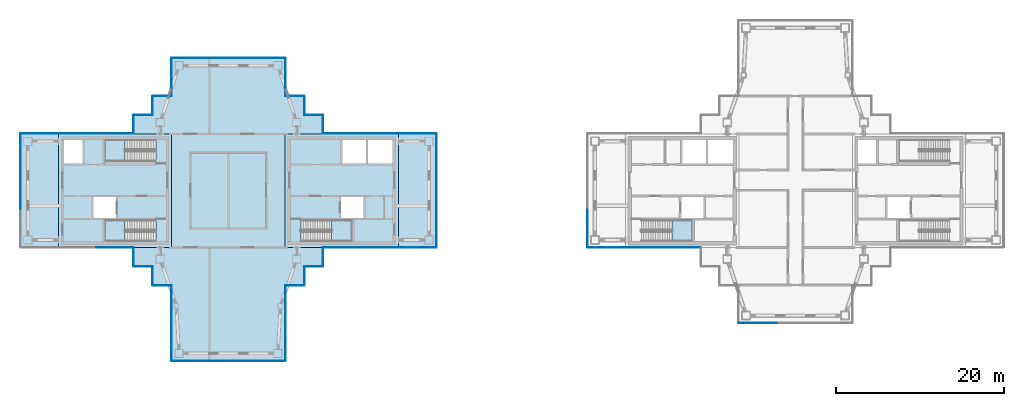
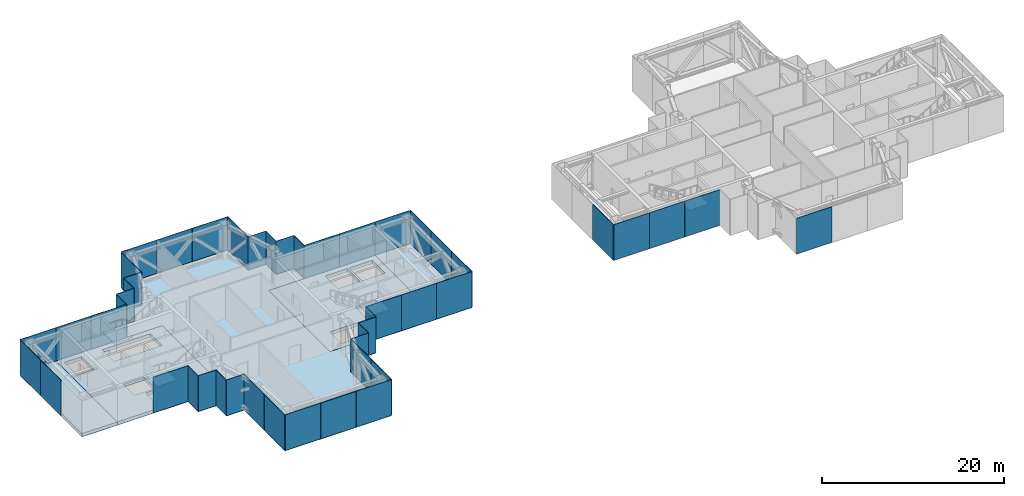
# One storey, part 5 of 18: 48 plates, 9 slabs, 27 elements without a shape of their own.
"""IFC4 building model written with IfcOpenShell, lengths in metres."""

from ifc_helpers import new_model, si_unit, direction, frame, origin, origin_2d, place, context, subcontext, project, spatial, polyline, rectangle, outline, extrude, material, layer, layer_set, type_object, element, aggregate, save


model = new_model("IFC4")

# Units and contexts
model_context = context("Model", 3, precision=1e-05, world=origin(), true_north=direction((0.0, 1.0)))
body_context = subcontext(model_context, "Body", "Model", "MODEL_VIEW")
ifc_project = project(units=[si_unit("LENGTHUNIT", "METRE"), si_unit("AREAUNIT", "SQUARE_METRE"), si_unit("VOLUMEUNIT", "CUBIC_METRE"), si_unit("PLANEANGLEUNIT", "RADIAN"), si_unit("MASSUNIT", "GRAM", prefix="KILO")], contexts=[model_context])

# Site, building, storey
site_placement = place(None, origin())
site = spatial("IfcSite", under=ifc_project, at=site_placement, CompositionType="ELEMENT")
building_placement = place(site_placement, origin())
building = spatial("IfcBuilding", under=site, at=building_placement, Name="Shamsa Quay Exchange Towers", CompositionType="ELEMENT")
storey_placement = place(building_placement, frame((0.0, 0.0, 225.60009765625)))
storey = spatial("IfcBuildingStorey", under=building, at=storey_placement, Name="L54", CompositionType="ELEMENT", Elevation=225.60009765625)

# Slabs
ifc_material_1 = material(Name="Concrete C50/60", Category="concrete")
ifc_layer_1 = layer(ifc_material_1, 0.449951171875)
ifc_layer_set_1 = layer_set([ifc_layer_1], Name="CORE FLOOR 450 C50/60")
slab_type_1 = type_object("IfcSlabType", Name="CORE FLOOR 450 C50/60", PredefinedType="FLOOR", material=ifc_layer_set_1)
slab_1_placement = place(storey_placement, frame((0.0, 0.0, -0.4501953125)))
element("IfcSlab", 1, at=slab_1_placement, inside=storey, type_object=slab_type_1, Name="Core floor T1A", PredefinedType="FLOOR", context=body_context, shape_type="SweptSolid", body=[
    extrude(outline(polyline([(-27.0, -6.75), (-13.5, -6.75), (-13.5, 6.75), (-27.0, 6.75), (-27.0, -6.75)]), holes=[polyline([(-25.099365234375, -6.050048828125), (-25.099365234375, -3.5), (-19.0, -3.5), (-19.0, -6.050048828125), (-25.099365234375, -6.050048828125)]), polyline([(-20.199951171875, 3.25), (-20.199951171875, 6.050048828125), (-17.39990234375, 6.050048828125), (-17.39990234375, 3.25), (-20.199951171875, 3.25)]), polyline([(-17.14990234375, 3.25), (-17.14990234375, 6.050048828125), (-14.199951171875, 6.050048828125), (-14.199951171875, 3.25), (-17.14990234375, 3.25)]), polyline([(-20.35009765625, -3.25), (-20.35009765625, -0.75), (-17.699951171875, -0.75), (-17.699951171875, -3.25), (-20.35009765625, -3.25)])]), origin(), (0.0, 0.0, 1.0), 0.4501953125),
])
slab_2_placement = place(storey_placement, frame((0.0, 0.0, -0.4501953125)))
element("IfcSlab", 2, at=slab_2_placement, inside=storey, type_object=slab_type_1, Name="Core floor T1B", PredefinedType="FLOOR", context=body_context, shape_type="SweptSolid", body=[
    extrude(outline(polyline([(-40.5, -6.75), (-40.5, 6.75), (-54.0, 6.75), (-54.0, -6.75), (-40.5, -6.75)]), holes=[polyline([(-42.400634765625, -3.5), (-42.400634765625, -6.050048828125), (-48.5, -6.050048828125), (-48.5, -3.5), (-42.400634765625, -3.5)]), polyline([(-42.400634765625, 6.050048828125), (-42.400634765625, 3.5), (-48.5, 3.5), (-48.5, 6.050048828125), (-42.400634765625, 6.050048828125)]), polyline([(-51.14990234375, 3.25), (-53.300048828125, 3.25), (-53.300048828125, 6.050048828125), (-51.14990234375, 6.050048828125), (-51.14990234375, 3.25)]), polyline([(-47.14990234375, -3.25), (-49.800048828125, -3.25), (-49.800048828125, -0.75), (-47.14990234375, -0.75), (-47.14990234375, -3.25)])]), origin(), (0.0, 0.0, 1.0), 0.4501953125),
])

# Stair, slab
ifc_material_2 = material(Name="Concrete C40/50", Category="concrete")
stair_type = type_object("IfcStairType", Name="EXIT STAIR 28 RISERS 171 MM", PredefinedType="HALF_TURN_STAIR", material=ifc_material_2)
stair_1_placement = place(storey_placement, origin())
stair_1 = element("IfcStair", 3, at=stair_1_placement, inside=storey, type_object=stair_type, Name="L54 Exit stair ST1", PredefinedType="HALF_TURN_STAIR")
ifc_layer_2 = layer(ifc_material_2, 0.199951171875)
ifc_layer_set_2 = layer_set([ifc_layer_2], Name="CORE STAIR LANDING")
slab_type_2 = type_object("IfcSlabType", Name="CORE STAIR LANDING", PredefinedType="LANDING", material=ifc_layer_set_2)
slab_3_placement = place(storey_placement, frame((0.0, 0.0, 2.199951171875)))
slab_3 = element("IfcSlab", 4, at=slab_3_placement, type_object=slab_type_2, Name="ST1 landing 1", PredefinedType="LANDING", context=body_context, shape_type="SweptSolid", body=[
    extrude(outline(polyline([(-21.4599609375, -6.050048828125), (-19.0, -6.050048828125), (-19.0, -3.5), (-21.4599609375, -3.5), (-21.4599609375, -6.050048828125)])), origin(), (0.0, 0.0, 1.0), 0.199951171875),
])
aggregate(stair_1, [slab_3])

stair_2_placement = place(storey_placement, origin())
stair_2 = element("IfcStair", 5, at=stair_2_placement, inside=storey, type_object=stair_type, Name="L54 Exit stair ST2", PredefinedType="HALF_TURN_STAIR")
slab_4_placement = place(storey_placement, frame((0.0, 0.0, 2.199951171875)))
slab_4 = element("IfcSlab", 6, at=slab_4_placement, type_object=slab_type_2, Name="ST2 landing 1", PredefinedType="LANDING", context=body_context, shape_type="SweptSolid", body=[
    extrude(outline(polyline([(-46.0400390625, -3.5), (-48.5, -3.5), (-48.5, -6.050048828125), (-46.0400390625, -6.050048828125), (-46.0400390625, -3.5)])), origin(), (0.0, 0.0, 1.0), 0.199951171875),
])
aggregate(stair_2, [slab_4])

stair_3_placement = place(storey_placement, origin())
stair_3 = element("IfcStair", 7, at=stair_3_placement, inside=storey, type_object=stair_type, Name="L54 Exit stair ST3", PredefinedType="HALF_TURN_STAIR")
slab_5_placement = place(storey_placement, frame((0.0, 0.0, 2.199951171875)))
slab_5 = element("IfcSlab", 8, at=slab_5_placement, type_object=slab_type_2, Name="ST3 landing 1", PredefinedType="LANDING", context=body_context, shape_type="SweptSolid", body=[
    extrude(outline(polyline([(-46.0400390625, 6.050048828125), (-48.5, 6.050048828125), (-48.5, 3.5), (-46.0400390625, 3.5), (-46.0400390625, 6.050048828125)])), origin(), (0.0, 0.0, 1.0), 0.199951171875),
])
aggregate(stair_3, [slab_5])

stair_4_placement = place(storey_placement, origin())
stair_4 = element("IfcStair", 9, at=stair_4_placement, inside=storey, type_object=stair_type, Name="L54 Exit stair ST4", PredefinedType="HALF_TURN_STAIR")
slab_6_placement = place(storey_placement, frame((0.0, 0.0, 2.199951171875)))
slab_6 = element("IfcSlab", 10, at=slab_6_placement, type_object=slab_type_2, Name="ST4 landing 1", PredefinedType="LANDING", context=body_context, shape_type="SweptSolid", body=[
    extrude(outline(polyline([(19.0400390625, -6.050048828125), (21.5, -6.050048828125), (21.5, -3.5), (19.0400390625, -3.5), (19.0400390625, -6.050048828125)])), origin(), (0.0, 0.0, 1.0), 0.199951171875),
])
aggregate(stair_4, [slab_6])

# Curtain wall, plates
ifc_material_3 = material(Name="Aluminium EN AW-6063 T6, black anodised", Category="aluminium")
ifc_layer_3 = layer(ifc_material_3, 0.320068359375)
ifc_layer_set_3 = layer_set([ifc_layer_3], Name="CW-7 BELT-LEVEL LOUVRE PANEL WALL")
curtain_wall_type = type_object("IfcCurtainWallType", Name="CW-7 BELT-LEVEL LOUVRE PANEL WALL", PredefinedType="NOTDEFINED", material=ifc_layer_set_3)
curtain_wall_1_placement = place(storey_placement, origin())
curtain_wall_1 = element("IfcCurtainWall", 11, at=curtain_wall_1_placement, inside=storey, type_object=curtain_wall_type, Name="CW7 T1-FLK-V-W L54", PredefinedType="NOTDEFINED")
ifc_material_4 = material(Name="Aluminium louvre panel, black anodised, with insulated fire-rated backing", Category="aluminium")
ifc_layer_4 = layer(ifc_material_4, 0.06005859375)
ifc_layer_set_4 = layer_set([ifc_layer_4], Name="CW-7 LOUVRE PANEL 60")
plate_type = type_object("IfcPlateType", Name="CW-7 LOUVRE PANEL 60", PredefinedType="CURTAIN_PANEL", material=ifc_layer_set_4)
plate_1_placement = place(storey_placement, frame((-40.530029296875, -13.5439453125, -0.35009765625), z_axis=(0.0, 0.0, 1.0), x_axis=(0.0, -1.0, 0.0)))
plate_1 = element("IfcPlate", 12, at=plate_1_placement, type_object=plate_type, Name="CW7 glass panel", PredefinedType="CURTAIN_PANEL", context=body_context, shape_type="SweptSolid", body=[
    extrude(rectangle(XDim=4.464111328125, YDim=0.06005859375, at=origin_2d()), origin(), (0.0, 0.0, 1.0), 4.800048828125),
])
plate_2_placement = place(storey_placement, frame((-40.530029296875, -18.01806640625, -0.35009765625), z_axis=(0.0, 0.0, 1.0), x_axis=(0.0, -1.0, 0.0)))
plate_2 = element("IfcPlate", 13, at=plate_2_placement, type_object=plate_type, Name="CW7 glass panel", PredefinedType="CURTAIN_PANEL", context=body_context, shape_type="SweptSolid", body=[
    extrude(rectangle(XDim=4.464111328125, YDim=0.06005859375, at=origin_2d()), origin(), (0.0, 0.0, 1.0), 4.800048828125),
])
aggregate(curtain_wall_1, [plate_1, plate_2])

curtain_wall_2_placement = place(storey_placement, origin())
curtain_wall_2 = element("IfcCurtainWall", 14, at=curtain_wall_2_placement, inside=storey, type_object=curtain_wall_type, Name="CW7 T1-END-V- L54", PredefinedType="NOTDEFINED")
plate_3_placement = place(storey_placement, frame((-38.25244140625, -20.280029296875, -0.35009765625)))
plate_3 = element("IfcPlate", 15, at=plate_3_placement, type_object=plate_type, Name="CW7 glass panel", PredefinedType="CURTAIN_PANEL", context=body_context, shape_type="SweptSolid", body=[
    extrude(rectangle(XDim=4.4951171875, YDim=0.06005859375, at=origin_2d()), origin(), (0.0, 0.0, 1.0), 4.800048828125),
])
plate_4_placement = place(storey_placement, frame((-33.75, -20.280029296875, -0.35009765625)))
plate_4 = element("IfcPlate", 16, at=plate_4_placement, type_object=plate_type, Name="CW7 glass panel", PredefinedType="CURTAIN_PANEL", context=body_context, shape_type="SweptSolid", body=[
    extrude(rectangle(XDim=4.489990234375, YDim=0.06005859375, at=origin_2d()), origin(), (0.0, 0.0, 1.0), 4.800048828125),
])
plate_5_placement = place(storey_placement, frame((-29.24755859375, -20.280029296875, -0.35009765625)))
plate_5 = element("IfcPlate", 17, at=plate_5_placement, type_object=plate_type, Name="CW7 glass panel", PredefinedType="CURTAIN_PANEL", context=body_context, shape_type="SweptSolid", body=[
    extrude(rectangle(XDim=4.4951171875, YDim=0.06005859375, at=origin_2d()), origin(), (0.0, 0.0, 1.0), 4.800048828125),
])
aggregate(curtain_wall_2, [plate_3, plate_4, plate_5])

curtain_wall_3_placement = place(storey_placement, origin())
curtain_wall_3 = element("IfcCurtainWall", 18, at=curtain_wall_3_placement, inside=storey, type_object=curtain_wall_type, Name="CW7 T1-FLK-V-E L54", PredefinedType="NOTDEFINED")
plate_6_placement = place(storey_placement, frame((-26.969970703125, -18.00244140625, -0.35009765625), z_axis=(0.0, 0.0, 1.0), x_axis=(0.0, 1.0, 0.0)))
plate_6 = element("IfcPlate", 19, at=plate_6_placement, type_object=plate_type, Name="CW7 glass panel", PredefinedType="CURTAIN_PANEL", context=body_context, shape_type="SweptSolid", body=[
    extrude(rectangle(XDim=4.4951171875, YDim=0.06005859375, at=origin_2d()), origin(), (0.0, 0.0, 1.0), 4.800048828125),
])
plate_7_placement = place(storey_placement, frame((-26.969970703125, -13.49755859375, -0.35009765625), z_axis=(0.0, 0.0, 1.0), x_axis=(0.0, 1.0, 0.0)))
plate_7 = element("IfcPlate", 20, at=plate_7_placement, type_object=plate_type, Name="CW7 glass panel", PredefinedType="CURTAIN_PANEL", context=body_context, shape_type="SweptSolid", body=[
    extrude(rectangle(XDim=4.4951171875, YDim=0.06005859375, at=origin_2d()), origin(), (0.0, 0.0, 1.0), 4.800048828125),
])
aggregate(curtain_wall_3, [plate_6, plate_7])

curtain_wall_4_placement = place(storey_placement, origin())
curtain_wall_4 = element("IfcCurtainWall", 21, at=curtain_wall_4_placement, inside=storey, type_object=curtain_wall_type, Name="CW7 T1-FLK-U+S L54", PredefinedType="NOTDEFINED")
plate_8_placement = place(storey_placement, frame((-20.2060546875, -6.780029296875, -0.35009765625)))
plate_8 = element("IfcPlate", 22, at=plate_8_placement, type_object=plate_type, Name="CW7 glass panel", PredefinedType="CURTAIN_PANEL", context=body_context, shape_type="SweptSolid", body=[
    extrude(rectangle(XDim=4.464111328125, YDim=0.06005859375, at=origin_2d()), origin(), (0.0, 0.0, 1.0), 4.800048828125),
])
plate_9_placement = place(storey_placement, frame((-15.73193359375, -6.780029296875, -0.35009765625)))
plate_9 = element("IfcPlate", 23, at=plate_9_placement, type_object=plate_type, Name="CW7 glass panel", PredefinedType="CURTAIN_PANEL", context=body_context, shape_type="SweptSolid", body=[
    extrude(rectangle(XDim=4.464111328125, YDim=0.06005859375, at=origin_2d()), origin(), (0.0, 0.0, 1.0), 4.800048828125),
])
aggregate(curtain_wall_4, [plate_8, plate_9])

# Curtain wall, plate
curtain_wall_5_placement = place(storey_placement, origin())
curtain_wall_5 = element("IfcCurtainWall", 24, at=curtain_wall_5_placement, inside=storey, type_object=curtain_wall_type, Name="CW7 T1-FLK-U+S L54", PredefinedType="NOTDEFINED")
plate_10_placement = place(storey_placement, frame((-11.25, -6.780029296875, -0.35009765625)))
plate_10 = element("IfcPlate", 25, at=plate_10_placement, type_object=plate_type, Name="CW7 glass panel", PredefinedType="CURTAIN_PANEL", context=body_context, shape_type="SweptSolid", body=[
    extrude(rectangle(XDim=4.5, YDim=0.06005859375, at=origin_2d()), origin(), (0.0, 0.0, 1.0), 4.800048828125),
])
aggregate(curtain_wall_5, [plate_10])

# Curtain wall, plates
curtain_wall_6_placement = place(storey_placement, origin())
curtain_wall_6 = element("IfcCurtainWall", 26, at=curtain_wall_6_placement, inside=storey, type_object=curtain_wall_type, Name="CW7 T1-END-U+ L54", PredefinedType="NOTDEFINED")
plate_11_placement = place(storey_placement, frame((-8.969970703125, -4.50244140625, -0.35009765625), z_axis=(0.0, 0.0, 1.0), x_axis=(0.0, 1.0, 0.0)))
plate_11 = element("IfcPlate", 27, at=plate_11_placement, type_object=plate_type, Name="CW7 glass panel", PredefinedType="CURTAIN_PANEL", context=body_context, shape_type="SweptSolid", body=[
    extrude(rectangle(XDim=4.4951171875, YDim=0.06005859375, at=origin_2d()), origin(), (0.0, 0.0, 1.0), 4.800048828125),
])
plate_12_placement = place(storey_placement, frame((-8.969970703125, 0.0, -0.35009765625), z_axis=(0.0, 0.0, 1.0), x_axis=(0.0, 1.0, 0.0)))
plate_12 = element("IfcPlate", 28, at=plate_12_placement, type_object=plate_type, Name="CW7 glass panel", PredefinedType="CURTAIN_PANEL", context=body_context, shape_type="SweptSolid", body=[
    extrude(rectangle(XDim=4.489990234375, YDim=0.06005859375, at=origin_2d()), origin(), (0.0, 0.0, 1.0), 4.800048828125),
])
plate_13_placement = place(storey_placement, frame((-8.969970703125, 4.50244140625, -0.35009765625), z_axis=(0.0, 0.0, 1.0), x_axis=(0.0, 1.0, 0.0)))
plate_13 = element("IfcPlate", 29, at=plate_13_placement, type_object=plate_type, Name="CW7 glass panel", PredefinedType="CURTAIN_PANEL", context=body_context, shape_type="SweptSolid", body=[
    extrude(rectangle(XDim=4.4951171875, YDim=0.06005859375, at=origin_2d()), origin(), (0.0, 0.0, 1.0), 4.800048828125),
])
aggregate(curtain_wall_6, [plate_11, plate_12, plate_13])

# Curtain wall, plate
curtain_wall_7_placement = place(storey_placement, origin())
curtain_wall_7 = element("IfcCurtainWall", 30, at=curtain_wall_7_placement, inside=storey, type_object=curtain_wall_type, Name="CW7 T1-FLK-U+N L54", PredefinedType="NOTDEFINED")
plate_14_placement = place(storey_placement, frame((-11.25, 6.780029296875, -0.35009765625), z_axis=(0.0, 0.0, 1.0), x_axis=(-1.0, 0.0, 0.0)))
plate_14 = element("IfcPlate", 31, at=plate_14_placement, type_object=plate_type, Name="CW7 glass panel", PredefinedType="CURTAIN_PANEL", context=body_context, shape_type="SweptSolid", body=[
    extrude(rectangle(XDim=4.5, YDim=0.06005859375, at=origin_2d()), origin(), (0.0, 0.0, 1.0), 4.800048828125),
])
aggregate(curtain_wall_7, [plate_14])

# Curtain wall, plates
curtain_wall_8_placement = place(storey_placement, origin())
curtain_wall_8 = element("IfcCurtainWall", 32, at=curtain_wall_8_placement, inside=storey, type_object=curtain_wall_type, Name="CW7 T1-FLK-U+N L54", PredefinedType="NOTDEFINED")
plate_15_placement = place(storey_placement, frame((-15.74755859375, 6.780029296875, -0.35009765625), z_axis=(0.0, 0.0, 1.0), x_axis=(-1.0, 0.0, 0.0)))
plate_15 = element("IfcPlate", 33, at=plate_15_placement, type_object=plate_type, Name="CW7 glass panel", PredefinedType="CURTAIN_PANEL", context=body_context, shape_type="SweptSolid", body=[
    extrude(rectangle(XDim=4.4951171875, YDim=0.06005859375, at=origin_2d()), origin(), (0.0, 0.0, 1.0), 4.800048828125),
])
plate_16_placement = place(storey_placement, frame((-20.25244140625, 6.780029296875, -0.35009765625), z_axis=(0.0, 0.0, 1.0), x_axis=(-1.0, 0.0, 0.0)))
plate_16 = element("IfcPlate", 34, at=plate_16_placement, type_object=plate_type, Name="CW7 glass panel", PredefinedType="CURTAIN_PANEL", context=body_context, shape_type="SweptSolid", body=[
    extrude(rectangle(XDim=4.4951171875, YDim=0.06005859375, at=origin_2d()), origin(), (0.0, 0.0, 1.0), 4.800048828125),
])
aggregate(curtain_wall_8, [plate_15, plate_16])

# Curtain wall, plate
curtain_wall_9_placement = place(storey_placement, origin())
curtain_wall_9 = element("IfcCurtainWall", 35, at=curtain_wall_9_placement, inside=storey, type_object=curtain_wall_type, Name="CW7 T1-FLK-V+E L54", PredefinedType="NOTDEFINED")
plate_17_placement = place(storey_placement, frame((-26.969970703125, 13.531005859375, -0.35009765625), z_axis=(0.0, 0.0, 1.0), x_axis=(0.0, 1.0, 0.0)))
plate_17 = element("IfcPlate", 36, at=plate_17_placement, type_object=plate_type, Name="CW7 glass panel", PredefinedType="CURTAIN_PANEL", context=body_context, shape_type="SweptSolid", body=[
    extrude(rectangle(XDim=4.43798828125, YDim=0.06005859375, at=origin_2d()), origin(), (0.0, 0.0, 1.0), 4.800048828125),
])
aggregate(curtain_wall_9, [plate_17])

# Curtain wall, plates
curtain_wall_10_placement = place(storey_placement, origin())
curtain_wall_10 = element("IfcCurtainWall", 37, at=curtain_wall_10_placement, inside=storey, type_object=curtain_wall_type, Name="CW7 T1-END-V+ L54", PredefinedType="NOTDEFINED")
plate_18_placement = place(storey_placement, frame((-29.24755859375, 15.780029296875, -0.35009765625), z_axis=(0.0, 0.0, 1.0), x_axis=(-1.0, 0.0, 0.0)))
plate_18 = element("IfcPlate", 38, at=plate_18_placement, type_object=plate_type, Name="CW7 glass panel", PredefinedType="CURTAIN_PANEL", context=body_context, shape_type="SweptSolid", body=[
    extrude(rectangle(XDim=4.4951171875, YDim=0.06005859375, at=origin_2d()), origin(), (0.0, 0.0, 1.0), 4.800048828125),
])
plate_19_placement = place(storey_placement, frame((-33.75, 15.780029296875, -0.35009765625), z_axis=(0.0, 0.0, 1.0), x_axis=(-1.0, 0.0, 0.0)))
plate_19 = element("IfcPlate", 39, at=plate_19_placement, type_object=plate_type, Name="CW7 glass panel", PredefinedType="CURTAIN_PANEL", context=body_context, shape_type="SweptSolid", body=[
    extrude(rectangle(XDim=4.489990234375, YDim=0.06005859375, at=origin_2d()), origin(), (0.0, 0.0, 1.0), 4.800048828125),
])
plate_20_placement = place(storey_placement, frame((-38.25244140625, 15.780029296875, -0.35009765625), z_axis=(0.0, 0.0, 1.0), x_axis=(-1.0, 0.0, 0.0)))
plate_20 = element("IfcPlate", 40, at=plate_20_placement, type_object=plate_type, Name="CW7 glass panel", PredefinedType="CURTAIN_PANEL", context=body_context, shape_type="SweptSolid", body=[
    extrude(rectangle(XDim=4.4951171875, YDim=0.06005859375, at=origin_2d()), origin(), (0.0, 0.0, 1.0), 4.800048828125),
])
aggregate(curtain_wall_10, [plate_18, plate_19, plate_20])

# Curtain wall, plate
curtain_wall_11_placement = place(storey_placement, origin())
curtain_wall_11 = element("IfcCurtainWall", 41, at=curtain_wall_11_placement, inside=storey, type_object=curtain_wall_type, Name="CW7 T1-FLK-V+W L54", PredefinedType="NOTDEFINED")
plate_21_placement = place(storey_placement, frame((-40.530029296875, 13.5, -0.35009765625), z_axis=(0.0, 0.0, 1.0), x_axis=(0.0, -1.0, 0.0)))
plate_21 = element("IfcPlate", 42, at=plate_21_placement, type_object=plate_type, Name="CW7 glass panel", PredefinedType="CURTAIN_PANEL", context=body_context, shape_type="SweptSolid", body=[
    extrude(rectangle(XDim=4.5, YDim=0.06005859375, at=origin_2d()), origin(), (0.0, 0.0, 1.0), 4.800048828125),
])
aggregate(curtain_wall_11, [plate_21])

# Curtain wall, plates
curtain_wall_12_placement = place(storey_placement, origin())
curtain_wall_12 = element("IfcCurtainWall", 43, at=curtain_wall_12_placement, inside=storey, type_object=curtain_wall_type, Name="CW7 T1-FLK-U-N L54", PredefinedType="NOTDEFINED")
plate_22_placement = place(storey_placement, frame((-47.2939453125, 6.780029296875, -0.35009765625), z_axis=(0.0, 0.0, 1.0), x_axis=(-1.0, 0.0, 0.0)))
plate_22 = element("IfcPlate", 44, at=plate_22_placement, type_object=plate_type, Name="CW7 glass panel", PredefinedType="CURTAIN_PANEL", context=body_context, shape_type="SweptSolid", body=[
    extrude(rectangle(XDim=4.464111328125, YDim=0.06005859375, at=origin_2d()), origin(), (0.0, 0.0, 1.0), 4.800048828125),
])
plate_23_placement = place(storey_placement, frame((-51.76806640625, 6.780029296875, -0.35009765625), z_axis=(0.0, 0.0, 1.0), x_axis=(-1.0, 0.0, 0.0)))
plate_23 = element("IfcPlate", 45, at=plate_23_placement, type_object=plate_type, Name="CW7 glass panel", PredefinedType="CURTAIN_PANEL", context=body_context, shape_type="SweptSolid", body=[
    extrude(rectangle(XDim=4.464111328125, YDim=0.06005859375, at=origin_2d()), origin(), (0.0, 0.0, 1.0), 4.800048828125),
])
aggregate(curtain_wall_12, [plate_22, plate_23])

# Curtain wall, plate
curtain_wall_13_placement = place(storey_placement, origin())
curtain_wall_13 = element("IfcCurtainWall", 46, at=curtain_wall_13_placement, inside=storey, type_object=curtain_wall_type, Name="CW7 T1-FLK-U-N L54", PredefinedType="NOTDEFINED")
plate_24_placement = place(storey_placement, frame((-56.25, 6.780029296875, -0.35009765625), z_axis=(0.0, 0.0, 1.0), x_axis=(-1.0, 0.0, 0.0)))
plate_24 = element("IfcPlate", 47, at=plate_24_placement, type_object=plate_type, Name="CW7 glass panel", PredefinedType="CURTAIN_PANEL", context=body_context, shape_type="SweptSolid", body=[
    extrude(rectangle(XDim=4.5, YDim=0.06005859375, at=origin_2d()), origin(), (0.0, 0.0, 1.0), 4.800048828125),
])
aggregate(curtain_wall_13, [plate_24])

# Curtain wall, plates
curtain_wall_14_placement = place(storey_placement, origin())
curtain_wall_14 = element("IfcCurtainWall", 48, at=curtain_wall_14_placement, inside=storey, type_object=curtain_wall_type, Name="CW7 T1-END-U- L54", PredefinedType="NOTDEFINED")
plate_25_placement = place(storey_placement, frame((-58.530029296875, 4.50244140625, -0.35009765625), z_axis=(0.0, 0.0, 1.0), x_axis=(0.0, -1.0, 0.0)))
plate_25 = element("IfcPlate", 49, at=plate_25_placement, type_object=plate_type, Name="CW7 glass panel", PredefinedType="CURTAIN_PANEL", context=body_context, shape_type="SweptSolid", body=[
    extrude(rectangle(XDim=4.4951171875, YDim=0.06005859375, at=origin_2d()), origin(), (0.0, 0.0, 1.0), 4.800048828125),
])
plate_26_placement = place(storey_placement, frame((-58.530029296875, 0.0, -0.35009765625), z_axis=(0.0, 0.0, 1.0), x_axis=(0.0, -1.0, 0.0)))
plate_26 = element("IfcPlate", 50, at=plate_26_placement, type_object=plate_type, Name="CW7 glass panel", PredefinedType="CURTAIN_PANEL", context=body_context, shape_type="SweptSolid", body=[
    extrude(rectangle(XDim=4.489990234375, YDim=0.06005859375, at=origin_2d()), origin(), (0.0, 0.0, 1.0), 4.800048828125),
])
aggregate(curtain_wall_14, [plate_25, plate_26])

# Curtain wall, plate
curtain_wall_15_placement = place(storey_placement, origin())
curtain_wall_15 = element("IfcCurtainWall", 51, at=curtain_wall_15_placement, inside=storey, type_object=curtain_wall_type, Name="CW7 T1-FLK-U-S L54", PredefinedType="NOTDEFINED")
plate_27_placement = place(storey_placement, frame((-47.24755859375, -6.780029296875, -0.35009765625)))
plate_27 = element("IfcPlate", 52, at=plate_27_placement, type_object=plate_type, Name="CW7 glass panel", PredefinedType="CURTAIN_PANEL", context=body_context, shape_type="SweptSolid", body=[
    extrude(rectangle(XDim=4.4951171875, YDim=0.06005859375, at=origin_2d()), origin(), (0.0, 0.0, 1.0), 4.800048828125),
])
aggregate(curtain_wall_15, [plate_27])

# Curtain wall, plates
curtain_wall_16_placement = place(storey_placement, origin())
curtain_wall_16 = element("IfcCurtainWall", 53, at=curtain_wall_16_placement, inside=storey, type_object=curtain_wall_type, Name="CW7 PKWS L54", PredefinedType="NOTDEFINED")
plate_28_placement = place(storey_placement, frame((-42.780029296875, -10.156005859375, -0.35009765625), z_axis=(0.0, 0.0, 1.0), x_axis=(0.0, -1.0, 0.0)))
plate_28 = element("IfcPlate", 54, at=plate_28_placement, type_object=plate_type, Name="CW7 glass panel", PredefinedType="CURTAIN_PANEL", context=body_context, shape_type="SweptSolid", body=[
    extrude(rectangle(XDim=2.18798828125, YDim=0.06005859375, at=origin_2d()), origin(), (0.0, 0.0, 1.0), 4.800048828125),
])
plate_29_placement = place(storey_placement, frame((-41.625, -11.280029296875, -0.35009765625)))
plate_29 = element("IfcPlate", 55, at=plate_29_placement, type_object=plate_type, Name="CW7 glass panel", PredefinedType="CURTAIN_PANEL", context=body_context, shape_type="SweptSolid", body=[
    extrude(rectangle(XDim=2.25, YDim=0.06005859375, at=origin_2d()), origin(), (0.0, 0.0, 1.0), 4.800048828125),
])
plate_30_placement = place(storey_placement, frame((-45.030029296875, -7.906005859375, -0.35009765625), z_axis=(0.0, 0.0, 1.0), x_axis=(0.0, -1.0, 0.0)))
plate_30 = element("IfcPlate", 56, at=plate_30_placement, type_object=plate_type, Name="CW7 glass panel", PredefinedType="CURTAIN_PANEL", context=body_context, shape_type="SweptSolid", body=[
    extrude(rectangle(XDim=2.18798828125, YDim=0.06005859375, at=origin_2d()), origin(), (0.0, 0.0, 1.0), 4.800048828125),
])
plate_31_placement = place(storey_placement, frame((-43.875, -9.030029296875, -0.35009765625)))
plate_31 = element("IfcPlate", 57, at=plate_31_placement, type_object=plate_type, Name="CW7 glass panel", PredefinedType="CURTAIN_PANEL", context=body_context, shape_type="SweptSolid", body=[
    extrude(rectangle(XDim=2.25, YDim=0.06005859375, at=origin_2d()), origin(), (0.0, 0.0, 1.0), 4.800048828125),
])
aggregate(curtain_wall_16, [plate_28, plate_29, plate_30, plate_31])

curtain_wall_17_placement = place(storey_placement, origin())
curtain_wall_17 = element("IfcCurtainWall", 58, at=curtain_wall_17_placement, inside=storey, type_object=curtain_wall_type, Name="CW7 PKES L54", PredefinedType="NOTDEFINED")
plate_32_placement = place(storey_placement, frame((-25.843994140625, -11.280029296875, -0.35009765625)))
plate_32 = element("IfcPlate", 59, at=plate_32_placement, type_object=plate_type, Name="CW7 glass panel", PredefinedType="CURTAIN_PANEL", context=body_context, shape_type="SweptSolid", body=[
    extrude(rectangle(XDim=2.18798828125, YDim=0.06005859375, at=origin_2d()), origin(), (0.0, 0.0, 1.0), 4.800048828125),
])
plate_33_placement = place(storey_placement, frame((-24.719970703125, -10.125, -0.35009765625), z_axis=(0.0, 0.0, 1.0), x_axis=(0.0, 1.0, 0.0)))
plate_33 = element("IfcPlate", 60, at=plate_33_placement, type_object=plate_type, Name="CW7 glass panel", PredefinedType="CURTAIN_PANEL", context=body_context, shape_type="SweptSolid", body=[
    extrude(rectangle(XDim=2.25, YDim=0.06005859375, at=origin_2d()), origin(), (0.0, 0.0, 1.0), 4.800048828125),
])
plate_34_placement = place(storey_placement, frame((-23.593994140625, -9.030029296875, -0.35009765625)))
plate_34 = element("IfcPlate", 61, at=plate_34_placement, type_object=plate_type, Name="CW7 glass panel", PredefinedType="CURTAIN_PANEL", context=body_context, shape_type="SweptSolid", body=[
    extrude(rectangle(XDim=2.18798828125, YDim=0.06005859375, at=origin_2d()), origin(), (0.0, 0.0, 1.0), 4.800048828125),
])
plate_35_placement = place(storey_placement, frame((-22.469970703125, -7.875, -0.35009765625), z_axis=(0.0, 0.0, 1.0), x_axis=(0.0, 1.0, 0.0)))
plate_35 = element("IfcPlate", 62, at=plate_35_placement, type_object=plate_type, Name="CW7 glass panel", PredefinedType="CURTAIN_PANEL", context=body_context, shape_type="SweptSolid", body=[
    extrude(rectangle(XDim=2.25, YDim=0.06005859375, at=origin_2d()), origin(), (0.0, 0.0, 1.0), 4.800048828125),
])
aggregate(curtain_wall_17, [plate_32, plate_33, plate_34, plate_35])

curtain_wall_18_placement = place(storey_placement, origin())
curtain_wall_18 = element("IfcCurtainWall", 63, at=curtain_wall_18_placement, inside=storey, type_object=curtain_wall_type, Name="CW7 PKEN L54", PredefinedType="NOTDEFINED")
plate_36_placement = place(storey_placement, frame((-22.469970703125, 7.906005859375, -0.35009765625), z_axis=(0.0, 0.0, 1.0), x_axis=(0.0, 1.0, 0.0)))
plate_36 = element("IfcPlate", 64, at=plate_36_placement, type_object=plate_type, Name="CW7 glass panel", PredefinedType="CURTAIN_PANEL", context=body_context, shape_type="SweptSolid", body=[
    extrude(rectangle(XDim=2.18798828125, YDim=0.06005859375, at=origin_2d()), origin(), (0.0, 0.0, 1.0), 4.800048828125),
])
plate_37_placement = place(storey_placement, frame((-23.625, 9.030029296875, -0.35009765625), z_axis=(0.0, 0.0, 1.0), x_axis=(-1.0, 0.0, 0.0)))
plate_37 = element("IfcPlate", 65, at=plate_37_placement, type_object=plate_type, Name="CW7 glass panel", PredefinedType="CURTAIN_PANEL", context=body_context, shape_type="SweptSolid", body=[
    extrude(rectangle(XDim=2.25, YDim=0.06005859375, at=origin_2d()), origin(), (0.0, 0.0, 1.0), 4.800048828125),
])
plate_38_placement = place(storey_placement, frame((-24.719970703125, 10.156005859375, -0.35009765625), z_axis=(0.0, 0.0, 1.0), x_axis=(0.0, 1.0, 0.0)))
plate_38 = element("IfcPlate", 66, at=plate_38_placement, type_object=plate_type, Name="CW7 glass panel", PredefinedType="CURTAIN_PANEL", context=body_context, shape_type="SweptSolid", body=[
    extrude(rectangle(XDim=2.18798828125, YDim=0.06005859375, at=origin_2d()), origin(), (0.0, 0.0, 1.0), 4.800048828125),
])
plate_39_placement = place(storey_placement, frame((-25.875, 11.280029296875, -0.35009765625), z_axis=(0.0, 0.0, 1.0), x_axis=(-1.0, 0.0, 0.0)))
plate_39 = element("IfcPlate", 67, at=plate_39_placement, type_object=plate_type, Name="CW7 glass panel", PredefinedType="CURTAIN_PANEL", context=body_context, shape_type="SweptSolid", body=[
    extrude(rectangle(XDim=2.25, YDim=0.06005859375, at=origin_2d()), origin(), (0.0, 0.0, 1.0), 4.800048828125),
])
aggregate(curtain_wall_18, [plate_36, plate_37, plate_38, plate_39])

curtain_wall_19_placement = place(storey_placement, origin())
curtain_wall_19 = element("IfcCurtainWall", 68, at=curtain_wall_19_placement, inside=storey, type_object=curtain_wall_type, Name="CW7 PKWN L54", PredefinedType="NOTDEFINED")
plate_40_placement = place(storey_placement, frame((-41.656005859375, 11.280029296875, -0.35009765625), z_axis=(0.0, 0.0, 1.0), x_axis=(-1.0, 0.0, 0.0)))
plate_40 = element("IfcPlate", 69, at=plate_40_placement, type_object=plate_type, Name="CW7 glass panel", PredefinedType="CURTAIN_PANEL", context=body_context, shape_type="SweptSolid", body=[
    extrude(rectangle(XDim=2.18798828125, YDim=0.06005859375, at=origin_2d()), origin(), (0.0, 0.0, 1.0), 4.800048828125),
])
plate_41_placement = place(storey_placement, frame((-42.780029296875, 10.125, -0.35009765625), z_axis=(0.0, 0.0, 1.0), x_axis=(0.0, -1.0, 0.0)))
plate_41 = element("IfcPlate", 70, at=plate_41_placement, type_object=plate_type, Name="CW7 glass panel", PredefinedType="CURTAIN_PANEL", context=body_context, shape_type="SweptSolid", body=[
    extrude(rectangle(XDim=2.25, YDim=0.06005859375, at=origin_2d()), origin(), (0.0, 0.0, 1.0), 4.800048828125),
])
plate_42_placement = place(storey_placement, frame((-43.906005859375, 9.030029296875, -0.35009765625), z_axis=(0.0, 0.0, 1.0), x_axis=(-1.0, 0.0, 0.0)))
plate_42 = element("IfcPlate", 71, at=plate_42_placement, type_object=plate_type, Name="CW7 glass panel", PredefinedType="CURTAIN_PANEL", context=body_context, shape_type="SweptSolid", body=[
    extrude(rectangle(XDim=2.18798828125, YDim=0.06005859375, at=origin_2d()), origin(), (0.0, 0.0, 1.0), 4.800048828125),
])
plate_43_placement = place(storey_placement, frame((-45.030029296875, 7.875, -0.35009765625), z_axis=(0.0, 0.0, 1.0), x_axis=(0.0, -1.0, 0.0)))
plate_43 = element("IfcPlate", 72, at=plate_43_placement, type_object=plate_type, Name="CW7 glass panel", PredefinedType="CURTAIN_PANEL", context=body_context, shape_type="SweptSolid", body=[
    extrude(rectangle(XDim=2.25, YDim=0.06005859375, at=origin_2d()), origin(), (0.0, 0.0, 1.0), 4.800048828125),
])
aggregate(curtain_wall_19, [plate_40, plate_41, plate_42, plate_43])

# Curtain wall, plate
curtain_wall_20_placement = place(storey_placement, origin())
curtain_wall_20 = element("IfcCurtainWall", 73, at=curtain_wall_20_placement, inside=storey, type_object=curtain_wall_type, Name="CW7 T2-END-V+ L54", PredefinedType="NOTDEFINED")
plate_44_placement = place(storey_placement, frame((8.969970703125, -4.50244140625, -0.35009765625), z_axis=(0.0, 0.0, 1.0), x_axis=(0.0, -1.0, 0.0)))
plate_44 = element("IfcPlate", 74, at=plate_44_placement, type_object=plate_type, Name="CW7 glass panel", PredefinedType="CURTAIN_PANEL", context=body_context, shape_type="SweptSolid", body=[
    extrude(rectangle(XDim=4.4951171875, YDim=0.06005859375, at=origin_2d()), origin(), (0.0, 0.0, 1.0), 4.800048828125),
])
aggregate(curtain_wall_20, [plate_44])

curtain_wall_21_placement = place(storey_placement, origin())
curtain_wall_21 = element("IfcCurtainWall", 75, at=curtain_wall_21_placement, inside=storey, type_object=curtain_wall_type, Name="CW7 T2-FLK-V+W L54", PredefinedType="NOTDEFINED")
plate_45_placement = place(storey_placement, frame((11.25, -6.780029296875, -0.35009765625)))
plate_45 = element("IfcPlate", 76, at=plate_45_placement, type_object=plate_type, Name="CW7 glass panel", PredefinedType="CURTAIN_PANEL", context=body_context, shape_type="SweptSolid", body=[
    extrude(rectangle(XDim=4.5, YDim=0.06005859375, at=origin_2d()), origin(), (0.0, 0.0, 1.0), 4.800048828125),
])
aggregate(curtain_wall_21, [plate_45])

# Curtain wall, plates
curtain_wall_22_placement = place(storey_placement, origin())
curtain_wall_22 = element("IfcCurtainWall", 77, at=curtain_wall_22_placement, inside=storey, type_object=curtain_wall_type, Name="CW7 T2-FLK-V+W L54", PredefinedType="NOTDEFINED")
plate_46_placement = place(storey_placement, frame((15.74755859375, -6.780029296875, -0.35009765625)))
plate_46 = element("IfcPlate", 78, at=plate_46_placement, type_object=plate_type, Name="CW7 glass panel", PredefinedType="CURTAIN_PANEL", context=body_context, shape_type="SweptSolid", body=[
    extrude(rectangle(XDim=4.4951171875, YDim=0.06005859375, at=origin_2d()), origin(), (0.0, 0.0, 1.0), 4.800048828125),
])
plate_47_placement = place(storey_placement, frame((20.25244140625, -6.780029296875, -0.35009765625)))
plate_47 = element("IfcPlate", 79, at=plate_47_placement, type_object=plate_type, Name="CW7 glass panel", PredefinedType="CURTAIN_PANEL", context=body_context, shape_type="SweptSolid", body=[
    extrude(rectangle(XDim=4.4951171875, YDim=0.06005859375, at=origin_2d()), origin(), (0.0, 0.0, 1.0), 4.800048828125),
])
aggregate(curtain_wall_22, [plate_46, plate_47])

# Curtain wall, plate
curtain_wall_23_placement = place(storey_placement, origin())
curtain_wall_23 = element("IfcCurtainWall", 80, at=curtain_wall_23_placement, inside=storey, type_object=curtain_wall_type, Name="CW7 T2-END-U- L54", PredefinedType="NOTDEFINED")
plate_48_placement = place(storey_placement, frame((29.24755859375, -15.780029296875, -0.35009765625)))
plate_48 = element("IfcPlate", 81, at=plate_48_placement, type_object=plate_type, Name="CW7 glass panel", PredefinedType="CURTAIN_PANEL", context=body_context, shape_type="SweptSolid", body=[
    extrude(rectangle(XDim=4.4951171875, YDim=0.06005859375, at=origin_2d()), origin(), (0.0, 0.0, 1.0), 4.800048828125),
])
aggregate(curtain_wall_23, [plate_48])

# Slabs
ifc_layer_5 = layer(ifc_material_2, 0.449951171875)
ifc_layer_set_5 = layer_set([ifc_layer_5], Name="Flat slab 450")
slab_type_3 = type_object("IfcSlabType", Name="Flat slab 450", PredefinedType="FLOOR", material=ifc_layer_set_5)
slab_7_placement = place(storey_placement, frame((0.0, 0.0, -0.4501953125)))
element("IfcSlab", 82, at=slab_7_placement, inside=storey, type_object=slab_type_3, Name="Flat slab T1 L54 1", PredefinedType="FLOOR", context=body_context, shape_type="SweptSolid", body=[
    extrude(outline(polyline([(-58.5, -6.75), (-54.0, -6.75), (-54.0, 6.75), (-58.5, 6.75), (-58.5, -6.75)])), origin(), (0.0, 0.0, 1.0), 0.4501953125),
])
slab_8_placement = place(storey_placement, frame((0.0, 0.0, -0.4501953125)))
element("IfcSlab", 83, at=slab_8_placement, inside=storey, type_object=slab_type_3, Name="Flat slab T1 L54 2", PredefinedType="FLOOR", context=body_context, shape_type="SweptSolid", body=[
    extrude(outline(polyline([(-22.5, -9.0), (-22.5, -6.75), (-27.0, -6.75), (-27.0, 6.75), (-22.5, 6.75), (-22.5, 9.0), (-24.75, 9.0), (-24.75, 11.25), (-27.0, 11.25), (-27.0, 15.75), (-40.5, 15.75), (-40.5, 11.25), (-42.75, 11.25), (-42.75, 9.0), (-45.0, 9.0), (-45.0, 6.75), (-40.5, 6.75), (-40.5, -6.75), (-45.0, -6.75), (-45.0, -9.0), (-42.75, -9.0), (-42.75, -11.25), (-40.5, -11.25), (-40.5, -20.25), (-27.0, -20.25), (-27.0, -11.25), (-24.75, -11.25), (-24.75, -9.0), (-22.5, -9.0)])), origin(), (0.0, 0.0, 1.0), 0.4501953125),
])
slab_9_placement = place(storey_placement, frame((0.0, 0.0, -0.4501953125)))
element("IfcSlab", 84, at=slab_9_placement, inside=storey, type_object=slab_type_3, Name="Flat slab T1 L54 3", PredefinedType="FLOOR", context=body_context, shape_type="SweptSolid", body=[
    extrude(outline(polyline([(-9.0, 6.75), (-13.5, 6.75), (-13.5, -6.75), (-9.0, -6.75), (-9.0, 6.75)])), origin(), (0.0, 0.0, 1.0), 0.4501953125),
])

save(model, "model.ifc")
